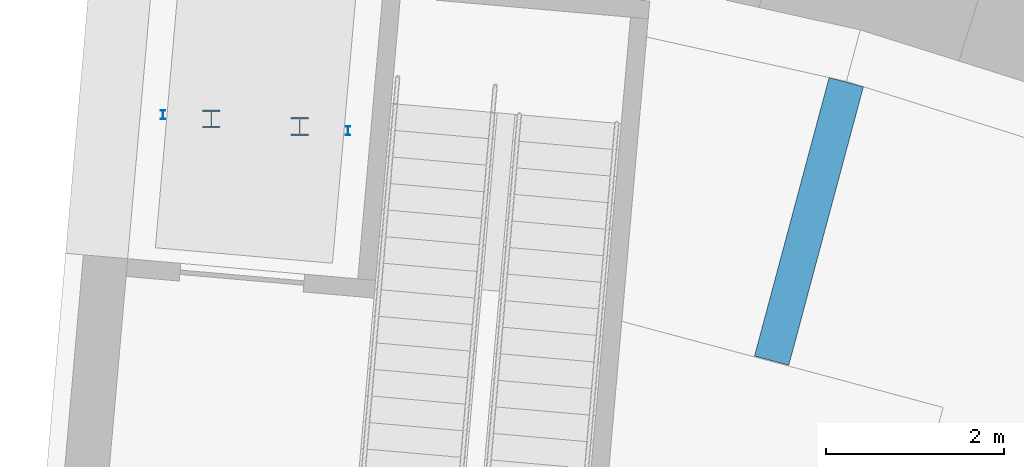
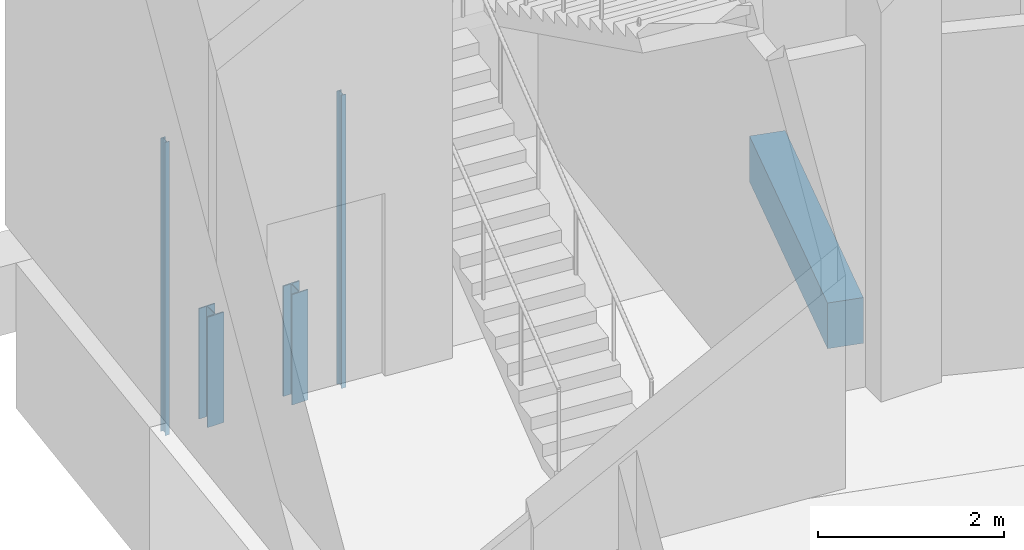
# One storey, part 28 of 65: 4 members, 1 beam.
"""IFC4 building model written with IfcOpenShell, lengths in metres."""

from ifc_helpers import new_model, si_unit, direction, frame, origin, origin_2d, place, context, subcontext, project, spatial, rectangle, i_section, extrude, material, material_profile, profile_set, type_object, element, save


model = new_model("IFC4")

# Units and contexts
model_context = context("Model", 3, precision=1e-05, world=origin(), true_north=direction((0.0, 1.0)))
body_context = subcontext(model_context, "Body", "Model", "MODEL_VIEW")
ifc_project = project(units=[si_unit("LENGTHUNIT", "METRE"), si_unit("AREAUNIT", "SQUARE_METRE"), si_unit("VOLUMEUNIT", "CUBIC_METRE"), si_unit("PLANEANGLEUNIT", "RADIAN"), si_unit("MASSUNIT", "GRAM", prefix="KILO")], contexts=[model_context])

# Site, building, storey
site_placement = place(None, origin())
site = spatial("IfcSite", under=ifc_project, at=site_placement, CompositionType="ELEMENT")
building_placement = place(site_placement, origin())
building = spatial("IfcBuilding", under=site, at=building_placement, Name="Volute Hill Aquarium", CompositionType="ELEMENT")
storey_placement = place(building_placement, frame((0.0, 0.0, -5.5)))
storey = spatial("IfcBuildingStorey", under=building, at=storey_placement, Name="L00", CompositionType="ELEMENT", Elevation=-5.5)

# Members
ifc_material_1 = material(Name="Steel S355", Category="steel")
ifc_material_profile_1 = material_profile(ifc_material_1, i_section(OverallWidth=0.199951171875, OverallDepth=0.199951171875, WebThickness=0.009033203125, FlangeThickness=0.014892578125, at=origin_2d()), Name="HEB 200")
ifc_profile_set_1 = profile_set([ifc_material_profile_1], Name="Steel S355")
member_type_1 = type_object("IfcMemberType", Name="Lift buffer HEB 200", PredefinedType="POST", material=ifc_profile_set_1)
for number, where, z_axis, x_axis, name in (
    (1, (4.90087890625, 44.54248046875, -1.39990234375), (0.0, 0.0, 1.0), (1.0, 0.0, 0.0), "LB-S5-B 1"),
    (2, (5.89697265625, 44.455078125, -1.39990234375), (0.0, 0.0, 1.0), (1.0, 0.0, 0.0), "LB-S5-B 2"),
):
    element("IfcMember", number, at=place(storey_placement, frame(where, z_axis=z_axis, x_axis=x_axis)), inside=storey, type_object=member_type_1, Name=name, PredefinedType="POST", context=body_context, shape_type="SweptSolid", body=[
        extrude(i_section(OverallWidth=0.199951171875, OverallDepth=0.199951171875, WebThickness=0.009033203125, FlangeThickness=0.014892578125, at=origin_2d()), origin(), (0.0, 0.0, 1.0), 1.449951171875),
    ])
ifc_material_2 = material(Name="Steel S355", Category="steel")
ifc_material_profile_2 = material_profile(ifc_material_2, i_section(OverallWidth=0.054931640625, OverallDepth=0.10009765625, WebThickness=0.004150390625, FlangeThickness=0.005615234375, at=origin_2d()), Name="IPE 100")
ifc_profile_set_2 = profile_set([ifc_material_profile_2], Name="Steel S355")
member_type_2 = type_object("IfcMemberType", Name="Lift guide rail IPE 100", PredefinedType="POST", material=ifc_profile_set_2)
for number, where, z_axis, x_axis, name in (
    (3, (4.35791015625, 44.58984375, -1.39990234375), (0.0, 0.0, 1.0), (1.0, 0.0, 0.0), "LR-S5-B 1"),
    (4, (6.43994140625, 44.40771484375, -1.39990234375), (0.0, 0.0, 1.0), (1.0, 0.0, 0.0), "LR-S5-B 2"),
):
    element("IfcMember", number, at=place(storey_placement, frame(where, z_axis=z_axis, x_axis=x_axis)), inside=storey, type_object=member_type_2, Name=name, PredefinedType="POST", context=body_context, shape_type="SweptSolid", body=[
        extrude(i_section(OverallWidth=0.054931640625, OverallDepth=0.10009765625, WebThickness=0.004150390625, FlangeThickness=0.005615234375, at=origin_2d()), origin(), (0.0, 0.0, 1.0), 3.849853515625),
    ])

# Beam
ifc_material_3 = material(Name="Concrete C30/37", Category="concrete")
ifc_material_profile_3 = material_profile(ifc_material_3, rectangle(XDim=0.39990234375, YDim=0.60009765625, at=origin_2d()), Name="RC tie beam 400x600")
ifc_profile_set_3 = profile_set([ifc_material_profile_3], Name="Concrete C30/37")
beam_type = type_object("IfcBeamType", Name="Tie beam 400x600 C30/37", PredefinedType="BEAM", material=ifc_profile_set_3)
beam_placement = place(storey_placement, frame((11.2060546875, 41.8212890625, -0.679931640625), z_axis=(0.258791253103, 0.965933272704, 0.0), x_axis=(-0.965933272704, 0.258791253103, 0.0)))
element("IfcBeam", 5, at=beam_placement, inside=storey, type_object=beam_type, Name="tb/S5/L00/75", PredefinedType="BEAM", context=body_context, shape_type="SweptSolid", body=[
    extrude(rectangle(XDim=0.39990234375, YDim=0.60009765625, at=origin_2d()), origin(), (0.0, 0.0, 1.0), 3.244384765625),
])

save(model, "model.ifc")
